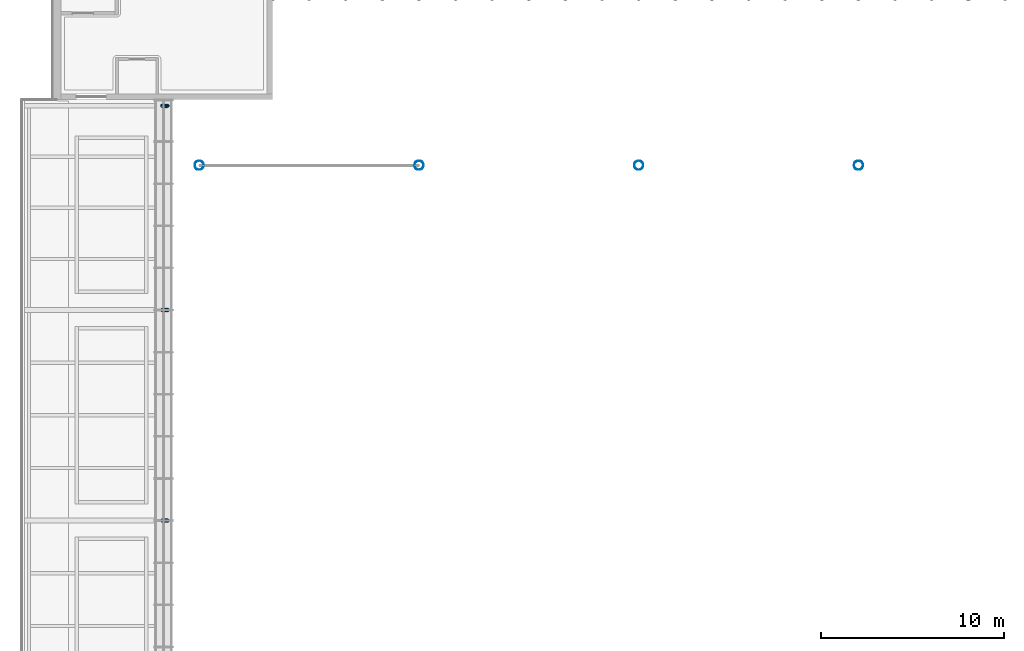
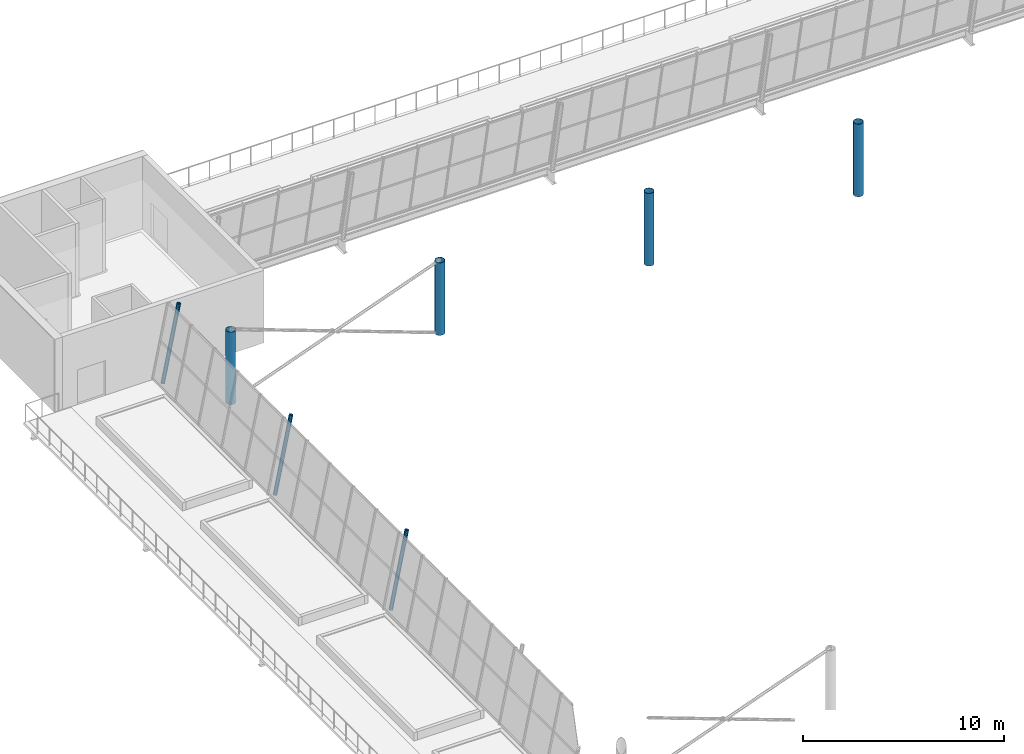
# One storey, part 2 of 58: 7 columns.
"""IFC4 building model written with IfcOpenShell, lengths in metres."""

from ifc_helpers import new_model, si_unit, direction, frame, origin, origin_2d, place, context, subcontext, project, spatial, hollow_circle, extrude, material, material_profile, profile_set, type_object, element, save


model = new_model("IFC4")

# Units and contexts
model_context = context("Model", 3, precision=1e-05, world=origin(), true_north=direction((0.0, 1.0)))
body_context = subcontext(model_context, "Body", "Model", "MODEL_VIEW")
ifc_project = project(units=[si_unit("LENGTHUNIT", "METRE"), si_unit("AREAUNIT", "SQUARE_METRE"), si_unit("VOLUMEUNIT", "CUBIC_METRE"), si_unit("PLANEANGLEUNIT", "RADIAN"), si_unit("MASSUNIT", "GRAM", prefix="KILO")], contexts=[model_context])

# Site, building, storey
site_placement = place(None, origin())
site = spatial("IfcSite", under=ifc_project, at=site_placement, CompositionType="ELEMENT")
building_placement = place(site_placement, origin())
building = spatial("IfcBuilding", under=site, at=building_placement, Name="Windward Yard Aquatics Centre", CompositionType="ELEMENT")
storey_placement = place(building_placement, frame((0.0, 0.0, 13.800048828125)))
storey = spatial("IfcBuildingStorey", under=building, at=storey_placement, Name="L03", CompositionType="ELEMENT", Elevation=13.800048828125)

# Columns
ifc_material = material(Name="Steel ASTM A500 Gr C", Category="steel")
ifc_material_profile_1 = material_profile(ifc_material, hollow_circle(Radius=0.25390625, WallThickness=0.015869140625, at=origin_2d()), Name="HSS508X15.9")
ifc_profile_set_1 = profile_set([ifc_material_profile_1], Name="Steel ASTM A500 Gr C")
column_type_1 = type_object("IfcColumnType", Name="H arch column HSS508X15.9", PredefinedType="COLUMN", material=ifc_profile_set_1)
for number, where, z_axis, x_axis, name in (
    (1, (60.0, 80.39990234375, 0.0), (0.0, 0.0, 1.0), (1.0, 0.0, 0.0), "H.AC.N1.L03"),
    (2, (72.0, 80.39990234375, 0.0), (0.0, 0.0, 1.0), (1.0, 0.0, 0.0), "H.AC.N2.L03"),
    (3, (84.0, 80.39990234375, 0.0), (0.0, 0.0, 1.0), (1.0, 0.0, 0.0), "H.AC.N3.L03"),
    (4, (96.0, 80.39990234375, 0.0), (0.0, 0.0, 1.0), (1.0, 0.0, 0.0), "H.AC.N4.L03"),
):
    element("IfcColumn", number, at=place(storey_placement, frame(where, z_axis=z_axis, x_axis=x_axis)), inside=storey, type_object=column_type_1, Name=name, PredefinedType="COLUMN", context=body_context, shape_type="SweptSolid", body=[
        extrude(hollow_circle(Radius=0.25390625, WallThickness=0.015869140625, at=origin_2d()), origin(), (0.0, 0.0, 1.0), 4.39990234375),
    ])
ifc_material_profile_2 = material_profile(ifc_material, hollow_circle(Radius=0.109619140625, WallThickness=0.0126953125, at=origin_2d()), Name="HSS219.1X12.7")
ifc_profile_set_2 = profile_set([ifc_material_profile_2], Name="Steel ASTM A500 Gr C")
column_type_2 = type_object("IfcColumnType", Name="H tier 2 leg HSS219.1X12.7", PredefinedType="COLUMN", material=ifc_profile_set_2)
for number, where, z_axis, x_axis, name in (
    (5, (57.983642578125, 61.0, -0.128173828125), (0.199346128659, 0.0, 0.9799291408), (0.0, 1.0, 0.0), "H.TL.W3.T2A.L03"),
    (6, (57.983642578125, 72.5, -0.128173828125), (0.199346128659, 0.0, 0.9799291408), (0.0, 1.0, 0.0), "H.TL.W4.T2A.L03"),
    (7, (57.983642578125, 83.64990234375, -0.128173828125), (0.199346128659, 0.0, 0.9799291408), (0.0, 1.0, 0.0), "H.TL.W5.T2A.L03"),
):
    element("IfcColumn", number, at=place(storey_placement, frame(where, z_axis=z_axis, x_axis=x_axis)), inside=storey, type_object=column_type_2, Name=name, PredefinedType="COLUMN", context=body_context, shape_type="SweptSolid", body=[
        extrude(hollow_circle(Radius=0.109619140625, WallThickness=0.0126953125, at=origin_2d()), origin(), (0.0, 0.0, 1.0), 4.620849609375),
    ])

save(model, "model.ifc")
